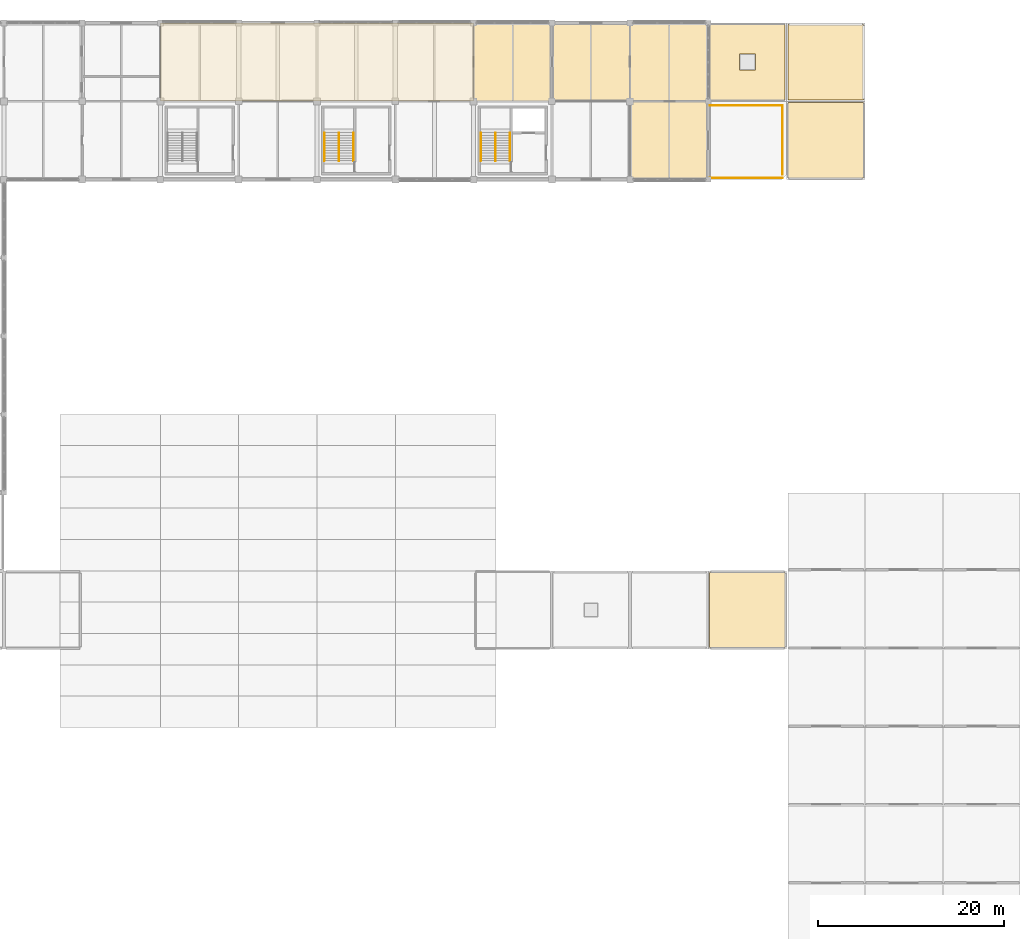
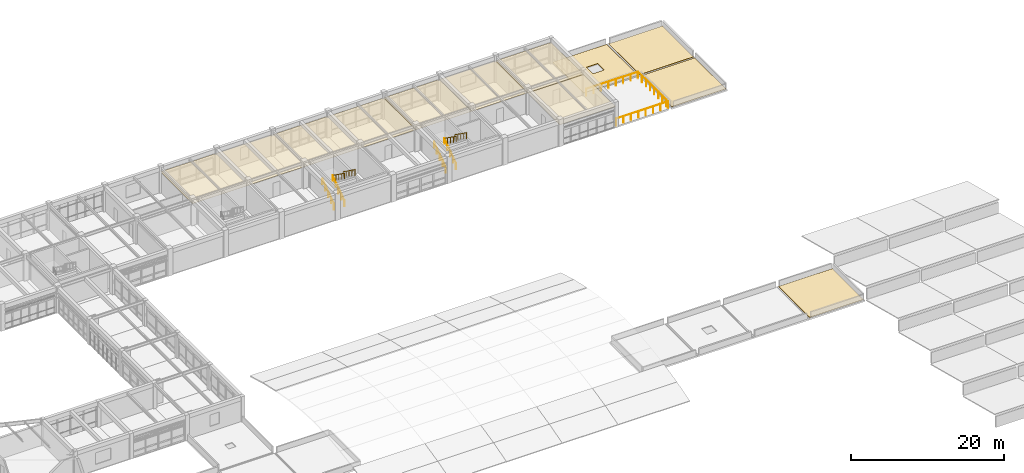
# One storey, part 40 of 40: 11 railings, 9 coverings.
"""IFC4 building model written with IfcOpenShell, lengths in metres."""

from ifc_helpers import new_model, si_unit, direction, frame, origin, origin_2d, place, context, subcontext, project, spatial, polyline, circle, outline, extrude, material, layer, layer_set, type_object, element, save


model = new_model("IFC4")

# Units and contexts
model_context = context("Model", 3, precision=1e-05, world=origin(), true_north=direction((0.0, 1.0)))
body_context = subcontext(model_context, "Body", "Model", "MODEL_VIEW")
ifc_project = project(units=[si_unit("LENGTHUNIT", "METRE"), si_unit("AREAUNIT", "SQUARE_METRE"), si_unit("VOLUMEUNIT", "CUBIC_METRE"), si_unit("PLANEANGLEUNIT", "RADIAN"), si_unit("MASSUNIT", "GRAM", prefix="KILO")], contexts=[model_context])

# Site, building, storey
site_placement = place(None, origin())
site = spatial("IfcSite", under=ifc_project, at=site_placement, CompositionType="ELEMENT")
building_placement = place(site_placement, origin())
building = spatial("IfcBuilding", under=site, at=building_placement, Name="Porcellanite Civic Hall", CompositionType="ELEMENT")
storey_placement = place(building_placement, frame((0.0, 0.0, 19.080078125)))
storey = spatial("IfcBuildingStorey", under=building, at=storey_placement, Name="L04", CompositionType="ELEMENT", Elevation=19.080078125)

# Coverings
ifc_material_1 = material(Name="Perforated acoustic mineral-fibre and spotted-gum batten ceiling")
ifc_layer_1 = layer(ifc_material_1, 0.02490234375)
ifc_layer_set_1 = layer_set([ifc_layer_1], Name="Perforated acoustic mineral-fibre and spotted-gum batten ceiling")
covering_type_1 = type_object("IfcCoveringType", Name="COV-CL1", PredefinedType="CEILING", material=ifc_layer_set_1)
covering_1_placement = place(storey_placement, frame((0.0, 0.0, 3.1650390625)))
element("IfcCovering", 1, at=covering_1_placement, inside=storey, type_object=covering_type_1, Name="Acoustic ceiling Emergency Resilience Centre", PredefinedType="CEILING", context=body_context, shape_type="SweptSolid", body=[
    extrude(outline(polyline([(75.610107421875, 109.2099609375), (109.18994140625, 109.2099609375), (109.18994140625, 117.590087890625), (75.610107421875, 117.590087890625), (75.610107421875, 109.2099609375)])), origin(), (0.0, 0.0, 1.0), 0.02490234375),
])
covering_2_placement = place(storey_placement, frame((0.0, 0.0, 3.1650390625)))
element("IfcCovering", 2, at=covering_2_placement, inside=storey, type_object=covering_type_1, Name="Acoustic ceiling City Solicitor Chambers L04-33", PredefinedType="CEILING", context=body_context, shape_type="SweptSolid", body=[
    extrude(outline(polyline([(109.2099609375, 109.2099609375), (117.590087890625, 109.2099609375), (117.590087890625, 117.590087890625), (109.2099609375, 117.590087890625), (109.2099609375, 109.2099609375)])), origin(), (0.0, 0.0, 1.0), 0.02490234375),
])
covering_3_placement = place(storey_placement, frame((0.0, 0.0, 3.1650390625)))
element("IfcCovering", 3, at=covering_3_placement, inside=storey, type_object=covering_type_1, Name="Acoustic ceiling Internal Audit Suite L04-35", PredefinedType="CEILING", context=body_context, shape_type="SweptSolid", body=[
    extrude(outline(polyline([(117.610107421875, 109.2099609375), (125.989990234375, 109.2099609375), (125.989990234375, 117.590087890625), (117.610107421875, 117.590087890625), (117.610107421875, 109.2099609375)])), origin(), (0.0, 0.0, 1.0), 0.02490234375),
])
covering_4_placement = place(storey_placement, frame((0.0, 0.0, 3.1650390625)))
element("IfcCovering", 4, at=covering_4_placement, inside=storey, type_object=covering_type_1, Name="Acoustic ceiling City Solicitor Chambers L04-36", PredefinedType="CEILING", context=body_context, shape_type="SweptSolid", body=[
    extrude(outline(polyline([(126.010009765625, 100.81005859375), (134.389892578125, 100.81005859375), (134.389892578125, 109.18994140625), (126.010009765625, 109.18994140625), (126.010009765625, 100.81005859375)])), origin(), (0.0, 0.0, 1.0), 0.02490234375),
])
covering_5_placement = place(storey_placement, frame((0.0, 0.0, 3.1650390625)))
element("IfcCovering", 5, at=covering_5_placement, inside=storey, type_object=covering_type_1, Name="Acoustic ceiling Digital Services Studio L04-37", PredefinedType="CEILING", context=body_context, shape_type="SweptSolid", body=[
    extrude(outline(polyline([(126.010009765625, 109.2099609375), (134.389892578125, 109.2099609375), (134.389892578125, 117.590087890625), (126.010009765625, 117.590087890625), (126.010009765625, 109.2099609375)])), origin(), (0.0, 0.0, 1.0), 0.02490234375),
])
ifc_material_2 = material(Name="Insulated light-reflective TPO monsoon roofing membrane")
ifc_layer_2 = layer(ifc_material_2, 0.080078125)
ifc_layer_set_2 = layer_set([ifc_layer_2], Name="Insulated light-reflective TPO monsoon roofing membrane")
covering_type_2 = type_object("IfcCoveringType", Name="COV-RF1", PredefinedType="ROOFING", material=ifc_layer_set_2)
covering_6_placement = place(storey_placement, origin())
element("IfcCovering", 6, at=covering_6_placement, inside=storey, type_object=covering_type_2, Name="Roof membrane L04 17-14", PredefinedType="ROOFING", context=body_context, shape_type="SweptSolid", body=[
    extrude(outline(polyline([(134.550048828125, 109.35009765625), (142.64990234375, 109.35009765625), (142.64990234375, 117.449951171875), (134.550048828125, 117.449951171875), (134.550048828125, 109.35009765625)]), holes=[polyline([(137.75, 112.550048828125), (139.449951171875, 112.550048828125), (139.449951171875, 114.25), (137.75, 114.25), (137.75, 112.550048828125)])]), origin(), (0.0, 0.0, 1.0), 0.079833984375),
])
ifc_material_3 = material(Name="Insulated light-reflective TPO monsoon roofing membrane")
ifc_layer_3 = layer(ifc_material_3, 0.070068359375)
ifc_layer_set_3 = layer_set([ifc_layer_3], Name="Insulated light-reflective TPO monsoon roofing membrane")
covering_type_3 = type_object("IfcCoveringType", Name="COV-RF2", PredefinedType="ROOFING", material=ifc_layer_set_3)
covering_7_placement = place(storey_placement, origin())
element("IfcCovering", 7, at=covering_7_placement, inside=storey, type_object=covering_type_3, Name="Roof membrane L04 18-13", PredefinedType="ROOFING", context=body_context, shape_type="SweptSolid", body=[
    extrude(outline(polyline([(142.949951171875, 100.949951171875), (151.050048828125, 100.949951171875), (151.050048828125, 109.050048828125), (142.949951171875, 109.050048828125), (142.949951171875, 100.949951171875)])), origin(), (0.0, 0.0, 1.0), 0.06982421875),
])
ifc_material_4 = material(Name="Insulated light-reflective TPO monsoon roofing membrane")
ifc_layer_4 = layer(ifc_material_4, 0.06005859375)
ifc_layer_set_4 = layer_set([ifc_layer_4], Name="Insulated light-reflective TPO monsoon roofing membrane")
covering_type_4 = type_object("IfcCoveringType", Name="COV-RF3", PredefinedType="ROOFING", material=ifc_layer_set_4)
covering_8_placement = place(storey_placement, origin())
element("IfcCovering", 8, at=covering_8_placement, inside=storey, type_object=covering_type_4, Name="Roof membrane L04 17-7", PredefinedType="ROOFING", context=body_context, shape_type="SweptSolid", body=[
    extrude(outline(polyline([(134.550048828125, 50.550048828125), (142.64990234375, 50.550048828125), (142.64990234375, 58.64990234375), (134.550048828125, 58.64990234375), (134.550048828125, 50.550048828125)])), origin(), (0.0, 0.0, 1.0), 0.059814453125),
])
covering_9_placement = place(storey_placement, origin())
element("IfcCovering", 9, at=covering_9_placement, inside=storey, type_object=covering_type_4, Name="Roof membrane L04 18-14", PredefinedType="ROOFING", context=body_context, shape_type="SweptSolid", body=[
    extrude(outline(polyline([(142.949951171875, 109.35009765625), (151.050048828125, 109.35009765625), (151.050048828125, 117.449951171875), (142.949951171875, 117.449951171875), (142.949951171875, 109.35009765625)])), origin(), (0.0, 0.0, 1.0), 0.059814453125),
])

# Railings
ifc_material_5 = material(Name="Stainless steel 316", Category="steel")
railing_type_1 = type_object("IfcRailingType", Name="RL-BAL112", PredefinedType="BALUSTRADE", material=ifc_material_5)
for number, where, name in (
    (10, (134.56005859375, 100.9599609375, 0.0), "Terrace balustrade L04 S 17-13"),
    (11, (134.56005859375, 108.75, 0.0), "Terrace balustrade L04 N 17-13"),
):
    element("IfcRailing", number, at=place(storey_placement, frame(where)), inside=storey, type_object=railing_type_1, Name=name, PredefinedType="BALUSTRADE", context=body_context, shape_type="SweptSolid", body=[
        extrude(circle(Radius=0.02490234375, at=origin_2d()), frame((0.0, 0.0, 1.09521484375), z_axis=(1.0, 0.0, 0.0), x_axis=(0.0, 1.0, 0.0)), (0.0, 0.0, 1.0), 7.7900390625),
        extrude(circle(Radius=0.02197265625, at=origin_2d()), origin(), (0.0, 0.0, 1.0), 1.070068359375),
        extrude(circle(Radius=0.02197265625, at=origin_2d()), frame((1.11279296875, 0.0, 0.0)), (0.0, 0.0, 1.0), 1.070068359375),
        extrude(circle(Radius=0.02197265625, at=origin_2d()), frame((2.225830078125, 0.0, 0.0)), (0.0, 0.0, 1.0), 1.070068359375),
        extrude(circle(Radius=0.02197265625, at=origin_2d()), frame((3.338623046875, 0.0, 0.0)), (0.0, 0.0, 1.0), 1.070068359375),
        extrude(circle(Radius=0.02197265625, at=origin_2d()), frame((4.451416015625, 0.0, 0.0)), (0.0, 0.0, 1.0), 1.070068359375),
        extrude(circle(Radius=0.02197265625, at=origin_2d()), frame((5.564208984375, 0.0, 0.0)), (0.0, 0.0, 1.0), 1.070068359375),
        extrude(circle(Radius=0.02197265625, at=origin_2d()), frame((6.67724609375, 0.0, 0.0)), (0.0, 0.0, 1.0), 1.070068359375),
        extrude(circle(Radius=0.02197265625, at=origin_2d()), frame((7.7900390625, 0.0, 0.0)), (0.0, 0.0, 1.0), 1.070068359375),
    ])
railing_1_placement = place(storey_placement, frame((142.35009765625, 101.35009765625, 0.0)))
element("IfcRailing", 12, at=railing_1_placement, inside=storey, type_object=railing_type_1, Name="Terrace balustrade L04 E 17-13", PredefinedType="BALUSTRADE", context=body_context, shape_type="SweptSolid", body=[
    extrude(circle(Radius=0.02490234375, at=origin_2d()), frame((0.0, 0.0, 1.09521484375), z_axis=(0.0, 1.0, 0.0), x_axis=(-1.0, 0.0, 0.0)), (0.0, 0.0, 1.0), 7.39990234375),
    extrude(circle(Radius=0.02197265625, at=origin_2d()), origin(), (0.0, 0.0, 1.0), 1.070068359375),
    extrude(circle(Radius=0.02197265625, at=origin_2d()), frame((0.0, 1.05712890625, 0.0)), (0.0, 0.0, 1.0), 1.070068359375),
    extrude(circle(Radius=0.02197265625, at=origin_2d()), frame((0.0, 2.1142578125, 0.0)), (0.0, 0.0, 1.0), 1.070068359375),
    extrude(circle(Radius=0.02197265625, at=origin_2d()), frame((0.0, 3.17138671875, 0.0)), (0.0, 0.0, 1.0), 1.070068359375),
    extrude(circle(Radius=0.02197265625, at=origin_2d()), frame((0.0, 4.228515625, 0.0)), (0.0, 0.0, 1.0), 1.070068359375),
    extrude(circle(Radius=0.02197265625, at=origin_2d()), frame((0.0, 5.28564453125, 0.0)), (0.0, 0.0, 1.0), 1.070068359375),
    extrude(circle(Radius=0.02197265625, at=origin_2d()), frame((0.0, 6.3427734375, 0.0)), (0.0, 0.0, 1.0), 1.070068359375),
    extrude(circle(Radius=0.02197265625, at=origin_2d()), frame((0.0, 7.39990234375, 0.0)), (0.0, 0.0, 1.0), 1.070068359375),
])
ifc_material_6 = material(Name="Brushed stainless steel 316", Category="steel")
railing_type_2 = type_object("IfcRailingType", Name="RL-HR920", PredefinedType="HANDRAIL", material=ifc_material_6)
railing_2_placement = place(storey_placement, frame((109.985107421875, 102.800048828125, 0.0)))
element("IfcRailing", 13, at=railing_2_placement, inside=storey, type_object=railing_type_2, Name="Stair handrail ST-04 L04 1", PredefinedType="HANDRAIL", context=body_context, shape_type="SweptSolid", body=[
    extrude(circle(Radius=0.02197265625, at=origin_2d()), frame((0.0, 0.0, 0.89794921875), z_axis=(0.0, 0.813826661234, 0.581107705564), x_axis=(-1.0, 0.0, 0.0)), (0.0, 0.0, 1.0), 3.716796875),
    extrude(circle(Radius=0.01904296875, at=origin_2d()), origin(), (0.0, 0.0, 1.0), 0.8759765625),
    extrude(circle(Radius=0.01904296875, at=origin_2d()), frame((0.0, 0.75634765625, 0.5400390625)), (0.0, 0.0, 1.0), 0.8759765625),
    extrude(circle(Radius=0.01904296875, at=origin_2d()), frame((0.0, 1.512451171875, 1.080078125)), (0.0, 0.0, 1.0), 0.8759765625),
    extrude(circle(Radius=0.01904296875, at=origin_2d()), frame((0.0, 2.2685546875, 1.619873046875)), (0.0, 0.0, 1.0), 0.8759765625),
    extrude(circle(Radius=0.01904296875, at=origin_2d()), frame((0.0, 3.02490234375, 2.159912109375)), (0.0, 0.0, 1.0), 0.8759765625),
])
railing_3_placement = place(storey_placement, frame((111.56494140625, 105.824951171875, 2.159912109375)))
element("IfcRailing", 14, at=railing_3_placement, inside=storey, type_object=railing_type_2, Name="Stair handrail ST-04 L04 3", PredefinedType="HANDRAIL", context=body_context, shape_type="SweptSolid", body=[
    extrude(circle(Radius=0.02197265625, at=origin_2d()), frame((0.0, 0.0, 0.89794921875), z_axis=(0.0, -0.813826661234, 0.581107705564), x_axis=(1.0, 0.0, 0.0)), (0.0, 0.0, 1.0), 3.716796875),
    extrude(circle(Radius=0.01904296875, at=origin_2d()), origin(), (0.0, 0.0, 1.0), 0.8759765625),
    extrude(circle(Radius=0.01904296875, at=origin_2d()), frame((0.0, -0.75634765625, 0.5400390625)), (0.0, 0.0, 1.0), 0.8759765625),
    extrude(circle(Radius=0.01904296875, at=origin_2d()), frame((0.0, -1.512451171875, 1.080078125)), (0.0, 0.0, 1.0), 0.8759765625),
    extrude(circle(Radius=0.01904296875, at=origin_2d()), frame((0.0, -2.2685546875, 1.619873046875)), (0.0, 0.0, 1.0), 0.8759765625),
    extrude(circle(Radius=0.01904296875, at=origin_2d()), frame((0.0, -3.02490234375, 2.159912109375)), (0.0, 0.0, 1.0), 0.8759765625),
])
railing_4_placement = place(storey_placement, frame((93.18505859375, 102.800048828125, 0.0)))
element("IfcRailing", 15, at=railing_4_placement, inside=storey, type_object=railing_type_2, Name="Stair handrail ST-10 L04 1", PredefinedType="HANDRAIL", context=body_context, shape_type="SweptSolid", body=[
    extrude(circle(Radius=0.02197265625, at=origin_2d()), frame((0.0, 0.0, 0.89794921875), z_axis=(0.0, 0.813826661234, 0.581107705564), x_axis=(-1.0, 0.0, 0.0)), (0.0, 0.0, 1.0), 3.716796875),
    extrude(circle(Radius=0.01904296875, at=origin_2d()), origin(), (0.0, 0.0, 1.0), 0.8759765625),
    extrude(circle(Radius=0.01904296875, at=origin_2d()), frame((0.0, 0.75634765625, 0.5400390625)), (0.0, 0.0, 1.0), 0.8759765625),
    extrude(circle(Radius=0.01904296875, at=origin_2d()), frame((0.0, 1.512451171875, 1.080078125)), (0.0, 0.0, 1.0), 0.8759765625),
    extrude(circle(Radius=0.01904296875, at=origin_2d()), frame((0.0, 2.2685546875, 1.619873046875)), (0.0, 0.0, 1.0), 0.8759765625),
    extrude(circle(Radius=0.01904296875, at=origin_2d()), frame((0.0, 3.02490234375, 2.159912109375)), (0.0, 0.0, 1.0), 0.8759765625),
])
railing_5_placement = place(storey_placement, frame((94.764892578125, 105.824951171875, 2.159912109375)))
element("IfcRailing", 16, at=railing_5_placement, inside=storey, type_object=railing_type_2, Name="Stair handrail ST-10 L04 3", PredefinedType="HANDRAIL", context=body_context, shape_type="SweptSolid", body=[
    extrude(circle(Radius=0.02197265625, at=origin_2d()), frame((0.0, 0.0, 0.89794921875), z_axis=(0.0, -0.813826661234, 0.581107705564), x_axis=(1.0, 0.0, 0.0)), (0.0, 0.0, 1.0), 3.716796875),
    extrude(circle(Radius=0.01904296875, at=origin_2d()), origin(), (0.0, 0.0, 1.0), 0.8759765625),
    extrude(circle(Radius=0.01904296875, at=origin_2d()), frame((0.0, -0.75634765625, 0.5400390625)), (0.0, 0.0, 1.0), 0.8759765625),
    extrude(circle(Radius=0.01904296875, at=origin_2d()), frame((0.0, -1.512451171875, 1.080078125)), (0.0, 0.0, 1.0), 0.8759765625),
    extrude(circle(Radius=0.01904296875, at=origin_2d()), frame((0.0, -2.2685546875, 1.619873046875)), (0.0, 0.0, 1.0), 0.8759765625),
    extrude(circle(Radius=0.01904296875, at=origin_2d()), frame((0.0, -3.02490234375, 2.159912109375)), (0.0, 0.0, 1.0), 0.8759765625),
])
ifc_material_7 = material(Name="Brushed stainless steel 316", Category="steel")
railing_type_3 = type_object("IfcRailingType", Name="RL-HR950", PredefinedType="HANDRAIL", material=ifc_material_7)
railing_6_placement = place(storey_placement, frame((111.534912109375, 102.800048828125, 0.0)))
element("IfcRailing", 17, at=railing_6_placement, inside=storey, type_object=railing_type_3, Name="Stair handrail ST-04 L04 2", PredefinedType="HANDRAIL", context=body_context, shape_type="SweptSolid", body=[
    extrude(circle(Radius=0.02197265625, at=origin_2d()), frame((0.0, 0.0, 0.927978515625), z_axis=(0.0, 0.813826661234, 0.581107705564), x_axis=(-1.0, 0.0, 0.0)), (0.0, 0.0, 1.0), 3.716796875),
    extrude(circle(Radius=0.01904296875, at=origin_2d()), origin(), (0.0, 0.0, 1.0), 0.906005859375),
    extrude(circle(Radius=0.01904296875, at=origin_2d()), frame((0.0, 0.75634765625, 0.5400390625)), (0.0, 0.0, 1.0), 0.906005859375),
    extrude(circle(Radius=0.01904296875, at=origin_2d()), frame((0.0, 1.512451171875, 1.080078125)), (0.0, 0.0, 1.0), 0.906005859375),
    extrude(circle(Radius=0.01904296875, at=origin_2d()), frame((0.0, 2.2685546875, 1.619873046875)), (0.0, 0.0, 1.0), 0.906005859375),
    extrude(circle(Radius=0.01904296875, at=origin_2d()), frame((0.0, 3.02490234375, 2.159912109375)), (0.0, 0.0, 1.0), 0.906005859375),
])
railing_7_placement = place(storey_placement, frame((113.114990234375, 105.824951171875, 2.159912109375)))
element("IfcRailing", 18, at=railing_7_placement, inside=storey, type_object=railing_type_3, Name="Stair handrail ST-04 L04 4", PredefinedType="HANDRAIL", context=body_context, shape_type="SweptSolid", body=[
    extrude(circle(Radius=0.02197265625, at=origin_2d()), frame((0.0, 0.0, 0.927978515625), z_axis=(0.0, -0.813826661234, 0.581107705564), x_axis=(1.0, 0.0, 0.0)), (0.0, 0.0, 1.0), 3.716796875),
    extrude(circle(Radius=0.01904296875, at=origin_2d()), origin(), (0.0, 0.0, 1.0), 0.906005859375),
    extrude(circle(Radius=0.01904296875, at=origin_2d()), frame((0.0, -0.75634765625, 0.5400390625)), (0.0, 0.0, 1.0), 0.906005859375),
    extrude(circle(Radius=0.01904296875, at=origin_2d()), frame((0.0, -1.512451171875, 1.080078125)), (0.0, 0.0, 1.0), 0.906005859375),
    extrude(circle(Radius=0.01904296875, at=origin_2d()), frame((0.0, -2.2685546875, 1.619873046875)), (0.0, 0.0, 1.0), 0.906005859375),
    extrude(circle(Radius=0.01904296875, at=origin_2d()), frame((0.0, -3.02490234375, 2.159912109375)), (0.0, 0.0, 1.0), 0.906005859375),
])
railing_8_placement = place(storey_placement, frame((94.735107421875, 102.800048828125, 0.0)))
element("IfcRailing", 19, at=railing_8_placement, inside=storey, type_object=railing_type_3, Name="Stair handrail ST-10 L04 2", PredefinedType="HANDRAIL", context=body_context, shape_type="SweptSolid", body=[
    extrude(circle(Radius=0.02197265625, at=origin_2d()), frame((0.0, 0.0, 0.927978515625), z_axis=(0.0, 0.813826661234, 0.581107705564), x_axis=(-1.0, 0.0, 0.0)), (0.0, 0.0, 1.0), 3.716796875),
    extrude(circle(Radius=0.01904296875, at=origin_2d()), origin(), (0.0, 0.0, 1.0), 0.906005859375),
    extrude(circle(Radius=0.01904296875, at=origin_2d()), frame((0.0, 0.75634765625, 0.5400390625)), (0.0, 0.0, 1.0), 0.906005859375),
    extrude(circle(Radius=0.01904296875, at=origin_2d()), frame((0.0, 1.512451171875, 1.080078125)), (0.0, 0.0, 1.0), 0.906005859375),
    extrude(circle(Radius=0.01904296875, at=origin_2d()), frame((0.0, 2.2685546875, 1.619873046875)), (0.0, 0.0, 1.0), 0.906005859375),
    extrude(circle(Radius=0.01904296875, at=origin_2d()), frame((0.0, 3.02490234375, 2.159912109375)), (0.0, 0.0, 1.0), 0.906005859375),
])
railing_9_placement = place(storey_placement, frame((96.31494140625, 105.824951171875, 2.159912109375)))
element("IfcRailing", 20, at=railing_9_placement, inside=storey, type_object=railing_type_3, Name="Stair handrail ST-10 L04 4", PredefinedType="HANDRAIL", context=body_context, shape_type="SweptSolid", body=[
    extrude(circle(Radius=0.02197265625, at=origin_2d()), frame((0.0, 0.0, 0.927978515625), z_axis=(0.0, -0.813826661234, 0.581107705564), x_axis=(1.0, 0.0, 0.0)), (0.0, 0.0, 1.0), 3.716796875),
    extrude(circle(Radius=0.01904296875, at=origin_2d()), origin(), (0.0, 0.0, 1.0), 0.906005859375),
    extrude(circle(Radius=0.01904296875, at=origin_2d()), frame((0.0, -0.75634765625, 0.5400390625)), (0.0, 0.0, 1.0), 0.906005859375),
    extrude(circle(Radius=0.01904296875, at=origin_2d()), frame((0.0, -1.512451171875, 1.080078125)), (0.0, 0.0, 1.0), 0.906005859375),
    extrude(circle(Radius=0.01904296875, at=origin_2d()), frame((0.0, -2.2685546875, 1.619873046875)), (0.0, 0.0, 1.0), 0.906005859375),
    extrude(circle(Radius=0.01904296875, at=origin_2d()), frame((0.0, -3.02490234375, 2.159912109375)), (0.0, 0.0, 1.0), 0.906005859375),
])

save(model, "model.ifc")
